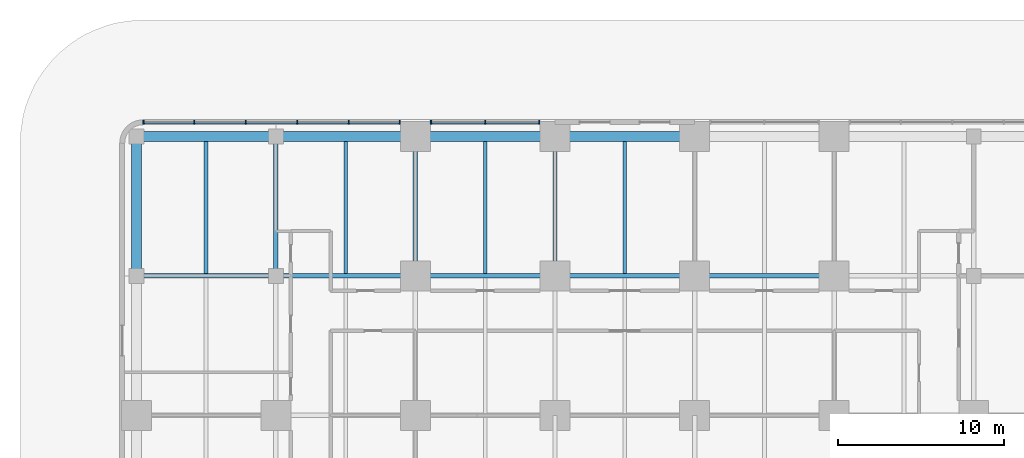
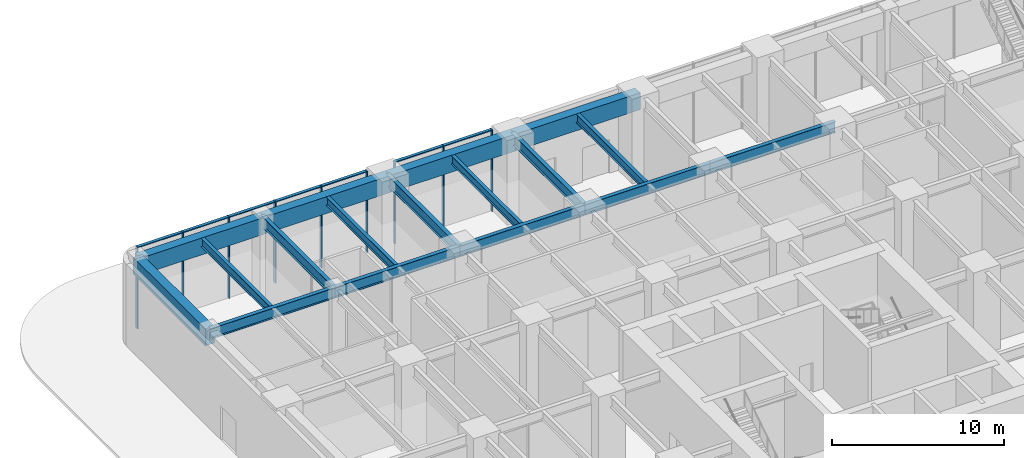
# One storey, part 7 of 21: 17 beams, 16 members, 1 element without a shape of its own.
"""IFC4 building model written with IfcOpenShell, lengths in metres."""

from ifc_helpers import new_model, si_unit, direction, frame, origin, origin_2d, place, context, subcontext, project, spatial, rectangle, i_section, extrude, material, material_profile, profile_set, type_object, element, aggregate, save


model = new_model("IFC4")

# Units and contexts
model_context = context("Model", 3, precision=1e-05, world=origin(), true_north=direction((0.0, 1.0)))
body_context = subcontext(model_context, "Body", "Model", "MODEL_VIEW")
ifc_project = project(units=[si_unit("LENGTHUNIT", "METRE"), si_unit("AREAUNIT", "SQUARE_METRE"), si_unit("VOLUMEUNIT", "CUBIC_METRE"), si_unit("PLANEANGLEUNIT", "RADIAN"), si_unit("MASSUNIT", "GRAM", prefix="KILO")], contexts=[model_context])

# Site, building, storey
site_placement = place(None, origin())
site = spatial("IfcSite", under=ifc_project, at=site_placement, CompositionType="ELEMENT")
building_placement = place(site_placement, origin())
building = spatial("IfcBuilding", under=site, at=building_placement, Name="Torre Alcanfor", CompositionType="ELEMENT")
storey_placement = place(building_placement, origin())
storey = spatial("IfcBuildingStorey", under=building, at=storey_placement, Name="L00", CompositionType="ELEMENT", Elevation=0.0)

# Curtain wall, members
ifc_material_1 = material(Name="Aluminium and glass", Category="aluminium")
curtain_wall_type = type_object("IfcCurtainWallType", Name="CW-C ground floor storefront glazing", PredefinedType="NOTDEFINED", material=ifc_material_1)
curtain_wall_placement = place(storey_placement, origin())
curtain_wall = element("IfcCurtainWall", 1, at=curtain_wall_placement, inside=storey, type_object=curtain_wall_type, Name="Curtain wall CW-C L00 N 1", PredefinedType="NOTDEFINED")
ifc_material_2 = material(Name="Extruded aluminium", Category="aluminium")
ifc_material_profile_1 = material_profile(ifc_material_2, rectangle(XDim=0.25, YDim=0.06494140625, at=origin_2d()), Name="CW-C mullion 65x250")
ifc_profile_set_1 = profile_set([ifc_material_profile_1], Name="Extruded aluminium")
member_type_1 = type_object("IfcMemberType", Name="CW-C mullion 65x250", PredefinedType="MULLION", material=ifc_profile_set_1)
member_1_placement = place(storey_placement, frame((24.262451171875, 59.64990234375, 0.0), z_axis=(0.0, 0.0, 1.0), x_axis=(0.0, -1.0, 0.0)))
member_1 = element("IfcMember", 2, at=member_1_placement, type_object=member_type_1, Name="CW-C mullion 1.1", PredefinedType="MULLION", context=body_context, shape_type="SweptSolid", body=[
    extrude(rectangle(XDim=0.25, YDim=0.06494140625, at=origin_2d()), origin(), (0.0, 0.0, 1.0), 5.800048828125),
])
member_2_placement = place(storey_placement, frame((21.0, 59.64990234375, 0.0), z_axis=(0.0, 0.0, 1.0), x_axis=(0.0, -1.0, 0.0)))
member_2 = element("IfcMember", 3, at=member_2_placement, type_object=member_type_1, Name="CW-C mullion 1.2", PredefinedType="MULLION", context=body_context, shape_type="SweptSolid", body=[
    extrude(rectangle(XDim=0.25, YDim=0.06494140625, at=origin_2d()), origin(), (0.0, 0.0, 1.0), 5.800048828125),
])
member_3_placement = place(storey_placement, frame((17.737548828125, 59.64990234375, 0.0), z_axis=(0.0, 0.0, 1.0), x_axis=(0.0, -1.0, 0.0)))
member_3 = element("IfcMember", 4, at=member_3_placement, type_object=member_type_1, Name="CW-C mullion 1.3", PredefinedType="MULLION", context=body_context, shape_type="SweptSolid", body=[
    extrude(rectangle(XDim=0.25, YDim=0.06494140625, at=origin_2d()), origin(), (0.0, 0.0, 1.0), 5.800048828125),
])
member_4_placement = place(storey_placement, frame((15.862548828125, 59.64990234375, 0.0), z_axis=(0.0, 0.0, 1.0), x_axis=(0.0, -1.0, 0.0)))
member_4 = element("IfcMember", 5, at=member_4_placement, type_object=member_type_1, Name="CW-C mullion 2.1", PredefinedType="MULLION", context=body_context, shape_type="SweptSolid", body=[
    extrude(rectangle(XDim=0.25, YDim=0.06494140625, at=origin_2d()), origin(), (0.0, 0.0, 1.0), 5.800048828125),
])
member_5_placement = place(storey_placement, frame((12.7958984375, 59.64990234375, 0.0), z_axis=(0.0, 0.0, 1.0), x_axis=(0.0, -1.0, 0.0)))
member_5 = element("IfcMember", 6, at=member_5_placement, type_object=member_type_1, Name="CW-C mullion 2.2", PredefinedType="MULLION", context=body_context, shape_type="SweptSolid", body=[
    extrude(rectangle(XDim=0.25, YDim=0.06494140625, at=origin_2d()), origin(), (0.0, 0.0, 1.0), 5.800048828125),
])
member_6_placement = place(storey_placement, frame((9.697021484375, 59.64990234375, 0.0), z_axis=(0.0, 0.0, 1.0), x_axis=(0.0, -1.0, 0.0)))
member_6 = element("IfcMember", 7, at=member_6_placement, type_object=member_type_1, Name="CW-C mullion 2.3", PredefinedType="MULLION", context=body_context, shape_type="SweptSolid", body=[
    extrude(rectangle(XDim=0.25, YDim=0.06494140625, at=origin_2d()), origin(), (0.0, 0.0, 1.0), 5.800048828125),
])
member_7_placement = place(storey_placement, frame((6.597900390625, 59.64990234375, 0.0), z_axis=(0.0, 0.0, 1.0), x_axis=(0.0, -1.0, 0.0)))
member_7 = element("IfcMember", 8, at=member_7_placement, type_object=member_type_1, Name="CW-C mullion 2.4", PredefinedType="MULLION", context=body_context, shape_type="SweptSolid", body=[
    extrude(rectangle(XDim=0.25, YDim=0.06494140625, at=origin_2d()), origin(), (0.0, 0.0, 1.0), 5.800048828125),
])
member_8_placement = place(storey_placement, frame((3.4990234375, 59.64990234375, 0.0), z_axis=(0.0, 0.0, 1.0), x_axis=(0.0, -1.0, 0.0)))
member_8 = element("IfcMember", 9, at=member_8_placement, type_object=member_type_1, Name="CW-C mullion 2.5", PredefinedType="MULLION", context=body_context, shape_type="SweptSolid", body=[
    extrude(rectangle(XDim=0.25, YDim=0.06494140625, at=origin_2d()), origin(), (0.0, 0.0, 1.0), 5.800048828125),
])
member_9_placement = place(storey_placement, frame((0.4326171875, 59.64990234375, 0.0), z_axis=(0.0, 0.0, 1.0), x_axis=(0.0, -1.0, 0.0)))
member_9 = element("IfcMember", 10, at=member_9_placement, type_object=member_type_1, Name="CW-C mullion 2.6", PredefinedType="MULLION", context=body_context, shape_type="SweptSolid", body=[
    extrude(rectangle(XDim=0.25, YDim=0.06494140625, at=origin_2d()), origin(), (0.0, 0.0, 1.0), 5.800048828125),
])
ifc_material_3 = material(Name="Extruded aluminium", Category="aluminium")
ifc_material_profile_2 = material_profile(ifc_material_3, rectangle(XDim=0.199951171875, YDim=0.06494140625, at=origin_2d()), Name="CW-C transom 200x65")
ifc_profile_set_2 = profile_set([ifc_material_profile_2], Name="Extruded aluminium")
member_type_2 = type_object("IfcMemberType", Name="CW-C transom 65x200", PredefinedType="USERDEFINED", material=ifc_profile_set_2)
member_10_placement = place(storey_placement, frame((24.22998046875, 59.64990234375, 5.767578125), z_axis=(-1.0, 0.0, 0.0), x_axis=(0.0, -1.0, 0.0)))
member_10 = element("IfcMember", 11, at=member_10_placement, type_object=member_type_2, Name="CW-C transom 1.1.2", ObjectType="TRANSOM", PredefinedType="USERDEFINED", context=body_context, shape_type="SweptSolid", body=[
    extrude(rectangle(XDim=0.199951171875, YDim=0.06494140625, at=origin_2d()), origin(), (0.0, 0.0, 1.0), 3.197509765625),
])
member_11_placement = place(storey_placement, frame((20.967529296875, 59.64990234375, 5.767578125), z_axis=(-1.0, 0.0, 0.0), x_axis=(0.0, -1.0, 0.0)))
member_11 = element("IfcMember", 12, at=member_11_placement, type_object=member_type_2, Name="CW-C transom 1.2.2", ObjectType="TRANSOM", PredefinedType="USERDEFINED", context=body_context, shape_type="SweptSolid", body=[
    extrude(rectangle(XDim=0.199951171875, YDim=0.06494140625, at=origin_2d()), origin(), (0.0, 0.0, 1.0), 3.197509765625),
])
member_12_placement = place(storey_placement, frame((15.830078125, 59.64990234375, 5.767578125), z_axis=(-1.0, 0.0, 0.0), x_axis=(0.0, -1.0, 0.0)))
member_12 = element("IfcMember", 13, at=member_12_placement, type_object=member_type_2, Name="CW-C transom 2.1.2", ObjectType="TRANSOM", PredefinedType="USERDEFINED", context=body_context, shape_type="SweptSolid", body=[
    extrude(rectangle(XDim=0.199951171875, YDim=0.06494140625, at=origin_2d()), origin(), (0.0, 0.0, 1.0), 3.00146484375),
])
member_13_placement = place(storey_placement, frame((12.763427734375, 59.64990234375, 5.767578125), z_axis=(-1.0, 0.0, 0.0), x_axis=(0.0, -1.0, 0.0)))
member_13 = element("IfcMember", 14, at=member_13_placement, type_object=member_type_2, Name="CW-C transom 2.2.2", ObjectType="TRANSOM", PredefinedType="USERDEFINED", context=body_context, shape_type="SweptSolid", body=[
    extrude(rectangle(XDim=0.199951171875, YDim=0.06494140625, at=origin_2d()), origin(), (0.0, 0.0, 1.0), 3.033935546875),
])
member_14_placement = place(storey_placement, frame((9.66455078125, 59.64990234375, 5.767578125), z_axis=(-1.0, 0.0, 0.0), x_axis=(0.0, -1.0, 0.0)))
member_14 = element("IfcMember", 15, at=member_14_placement, type_object=member_type_2, Name="CW-C transom 2.3.2", ObjectType="TRANSOM", PredefinedType="USERDEFINED", context=body_context, shape_type="SweptSolid", body=[
    extrude(rectangle(XDim=0.199951171875, YDim=0.06494140625, at=origin_2d()), origin(), (0.0, 0.0, 1.0), 3.033935546875),
])
member_15_placement = place(storey_placement, frame((6.5654296875, 59.64990234375, 5.767578125), z_axis=(-1.0, 0.0, 0.0), x_axis=(0.0, -1.0, 0.0)))
member_15 = element("IfcMember", 16, at=member_15_placement, type_object=member_type_2, Name="CW-C transom 2.4.2", ObjectType="TRANSOM", PredefinedType="USERDEFINED", context=body_context, shape_type="SweptSolid", body=[
    extrude(rectangle(XDim=0.199951171875, YDim=0.06494140625, at=origin_2d()), origin(), (0.0, 0.0, 1.0), 3.033935546875),
])
member_16_placement = place(storey_placement, frame((3.466552734375, 59.64990234375, 5.767578125), z_axis=(-1.0, 0.0, 0.0), x_axis=(0.0, -1.0, 0.0)))
member_16 = element("IfcMember", 17, at=member_16_placement, type_object=member_type_2, Name="CW-C transom 2.5.2", ObjectType="TRANSOM", PredefinedType="USERDEFINED", context=body_context, shape_type="SweptSolid", body=[
    extrude(rectangle(XDim=0.199951171875, YDim=0.06494140625, at=origin_2d()), origin(), (0.0, 0.0, 1.0), 3.00146484375),
])
aggregate(curtain_wall, [member_1, member_2, member_3, member_10, member_11, member_4, member_5, member_6, member_7, member_8, member_9, member_12, member_13, member_14, member_15, member_16])

# Beams
ifc_material_4 = material(Name="Steel ASTM A992 Grade 50", Category="steel")
ifc_material_profile_3 = material_profile(ifc_material_4, i_section(OverallWidth=0.2666015625, OverallDepth=0.7568359375, WebThickness=0.013916015625, FlangeThickness=0.019287109375, at=origin_2d()), Name="W30x108")
ifc_profile_set_3 = profile_set([ifc_material_profile_3], Name="Steel ASTM A992 Grade 50")
beam_type_1 = type_object("IfcBeamType", Name="Girder W30x108", PredefinedType="BEAM", material=ifc_profile_set_3)
beam_1_placement = place(storey_placement, frame((0.0, 50.39990234375, 5.421630859375), z_axis=(1.0, 0.0, 0.0), x_axis=(0.0, 1.0, 0.0)))
element("IfcBeam", 18, at=beam_1_placement, inside=storey, type_object=beam_type_1, Name="Beam 1J-2J under L01", PredefinedType="BEAM", context=body_context, shape_type="SweptSolid", body=[
    extrude(i_section(OverallWidth=0.2666015625, OverallDepth=0.7568359375, WebThickness=0.013916015625, FlangeThickness=0.019287109375, at=origin_2d()), origin(), (0.0, 0.0, 1.0), 8.39990234375),
])
beam_2_placement = place(storey_placement, frame((8.39990234375, 50.39990234375, 5.421630859375), z_axis=(1.0, 0.0, 0.0), x_axis=(0.0, 1.0, 0.0)))
element("IfcBeam", 19, at=beam_2_placement, inside=storey, type_object=beam_type_1, Name="Beam 2J-3J under L01", PredefinedType="BEAM", context=body_context, shape_type="SweptSolid", body=[
    extrude(i_section(OverallWidth=0.2666015625, OverallDepth=0.7568359375, WebThickness=0.013916015625, FlangeThickness=0.019287109375, at=origin_2d()), origin(), (0.0, 0.0, 1.0), 8.400146484375),
])
beam_3_placement = place(storey_placement, frame((16.800048828125, 50.39990234375, 5.421630859375), z_axis=(1.0, 0.0, 0.0), x_axis=(0.0, 1.0, 0.0)))
element("IfcBeam", 20, at=beam_3_placement, inside=storey, type_object=beam_type_1, Name="Beam 3J-4J under L01", PredefinedType="BEAM", context=body_context, shape_type="SweptSolid", body=[
    extrude(i_section(OverallWidth=0.2666015625, OverallDepth=0.7568359375, WebThickness=0.013916015625, FlangeThickness=0.019287109375, at=origin_2d()), origin(), (0.0, 0.0, 1.0), 8.39990234375),
])
beam_4_placement = place(storey_placement, frame((25.199951171875, 50.39990234375, 5.421630859375), z_axis=(1.0, 0.0, 0.0), x_axis=(0.0, 1.0, 0.0)))
element("IfcBeam", 21, at=beam_4_placement, inside=storey, type_object=beam_type_1, Name="Beam 4J-5J under L01", PredefinedType="BEAM", context=body_context, shape_type="SweptSolid", body=[
    extrude(i_section(OverallWidth=0.2666015625, OverallDepth=0.7568359375, WebThickness=0.013916015625, FlangeThickness=0.019287109375, at=origin_2d()), origin(), (0.0, 0.0, 1.0), 8.400146484375),
])
beam_5_placement = place(storey_placement, frame((33.60009765625, 50.39990234375, 5.421630859375), z_axis=(1.0, 0.0, 0.0), x_axis=(0.0, 1.0, 0.0)))
element("IfcBeam", 22, at=beam_5_placement, inside=storey, type_object=beam_type_1, Name="Beam 5J-6J under L01", PredefinedType="BEAM", context=body_context, shape_type="SweptSolid", body=[
    extrude(i_section(OverallWidth=0.2666015625, OverallDepth=0.7568359375, WebThickness=0.013916015625, FlangeThickness=0.019287109375, at=origin_2d()), origin(), (0.0, 0.0, 1.0), 8.39990234375),
])
for number, where, z_axis, x_axis, name in (
    (23, (8.39990234375, 50.39990234375, 5.421630859375), (0.0, 1.0, 0.0), (-1.0, 0.0, 0.0), "Beam 2J-2K under L01"),
    (24, (16.800048828125, 50.39990234375, 5.421630859375), (0.0, 1.0, 0.0), (-1.0, 0.0, 0.0), "Beam 3J-3K under L01"),
    (25, (25.199951171875, 50.39990234375, 5.421630859375), (0.0, 1.0, 0.0), (-1.0, 0.0, 0.0), "Beam 4J-4K under L01"),
):
    element("IfcBeam", number, at=place(storey_placement, frame(where, z_axis=z_axis, x_axis=x_axis)), inside=storey, type_object=beam_type_1, Name=name, PredefinedType="BEAM", context=body_context, shape_type="SweptSolid", body=[
        extrude(i_section(OverallWidth=0.2666015625, OverallDepth=0.7568359375, WebThickness=0.013916015625, FlangeThickness=0.019287109375, at=origin_2d()), origin(), (0.0, 0.0, 1.0), 8.400146484375),
    ])
ifc_material_5 = material(Name="Concrete f'c 70 MPa", Category="concrete")
ifc_material_profile_4 = material_profile(ifc_material_5, rectangle(XDim=0.60009765625, YDim=1.199951171875, at=origin_2d()), Name="600x1200")
ifc_profile_set_4 = profile_set([ifc_material_profile_4], Name="Concrete f'c 70 MPa")
beam_type_2 = type_object("IfcBeamType", Name="RC perimeter beam 600x1200", PredefinedType="BEAM", material=ifc_profile_set_4)
beam_6_placement = place(storey_placement, frame((0.0, 58.800048828125, 5.199951171875), z_axis=(1.0, 0.0, 0.0), x_axis=(0.0, 1.0, 0.0)))
element("IfcBeam", 26, at=beam_6_placement, inside=storey, type_object=beam_type_2, Name="Beam 1K-2K under L01", PredefinedType="BEAM", context=body_context, shape_type="SweptSolid", body=[
    extrude(rectangle(XDim=0.60009765625, YDim=1.199951171875, at=origin_2d()), origin(), (0.0, 0.0, 1.0), 8.39990234375),
])
beam_7_placement = place(storey_placement, frame((8.39990234375, 58.800048828125, 5.199951171875), z_axis=(1.0, 0.0, 0.0), x_axis=(0.0, 1.0, 0.0)))
element("IfcBeam", 27, at=beam_7_placement, inside=storey, type_object=beam_type_2, Name="Beam 2K-3K under L01", PredefinedType="BEAM", context=body_context, shape_type="SweptSolid", body=[
    extrude(rectangle(XDim=0.60009765625, YDim=1.199951171875, at=origin_2d()), origin(), (0.0, 0.0, 1.0), 8.400146484375),
])
beam_8_placement = place(storey_placement, frame((16.800048828125, 58.800048828125, 5.199951171875), z_axis=(1.0, 0.0, 0.0), x_axis=(0.0, 1.0, 0.0)))
element("IfcBeam", 28, at=beam_8_placement, inside=storey, type_object=beam_type_2, Name="Beam 3K-4K under L01", PredefinedType="BEAM", context=body_context, shape_type="SweptSolid", body=[
    extrude(rectangle(XDim=0.60009765625, YDim=1.199951171875, at=origin_2d()), origin(), (0.0, 0.0, 1.0), 8.39990234375),
])
for number, where, z_axis, x_axis, name in (
    (29, (25.199951171875, 58.800048828125, 5.199951171875), (1.0, 0.0, 0.0), (0.0, 1.0, 0.0), "Beam 4K-5K under L01"),
    (30, (0.0, 50.39990234375, 5.199951171875), (0.0, 1.0, 0.0), (-1.0, 0.0, 0.0), "Beam 1J-1K under L01"),
):
    element("IfcBeam", number, at=place(storey_placement, frame(where, z_axis=z_axis, x_axis=x_axis)), inside=storey, type_object=beam_type_2, Name=name, PredefinedType="BEAM", context=body_context, shape_type="SweptSolid", body=[
        extrude(rectangle(XDim=0.60009765625, YDim=1.199951171875, at=origin_2d()), origin(), (0.0, 0.0, 1.0), 8.400146484375),
    ])
ifc_material_6 = material(Name="Steel ASTM A992 Grade 50", Category="steel")
ifc_material_profile_5 = material_profile(ifc_material_6, i_section(OverallWidth=0.22900390625, OverallDepth=0.612060546875, WebThickness=0.011962890625, FlangeThickness=0.01953125, at=origin_2d()), Name="W24x84")
ifc_profile_set_5 = profile_set([ifc_material_profile_5], Name="Steel ASTM A992 Grade 50")
beam_type_3 = type_object("IfcBeamType", Name="Secondary beam W24x84", PredefinedType="BEAM", material=ifc_profile_set_5)
for number, where, z_axis, x_axis, name in (
    (31, (4.199951171875, 50.532958984375, 5.493896484375), (0.0, 1.0, 0.0), (-1.0, 0.0, 0.0), "Beam 4_2J-4_2K under L01"),
    (32, (12.60009765625, 50.532958984375, 5.493896484375), (0.0, 1.0, 0.0), (-1.0, 0.0, 0.0), "Beam 12_6J-12_6K under L01"),
    (33, (21.0, 50.532958984375, 5.493896484375), (0.0, 1.0, 0.0), (-1.0, 0.0, 0.0), "Beam 21J-21K under L01"),
    (34, (29.39990234375, 50.532958984375, 5.493896484375), (0.0, 1.0, 0.0), (-1.0, 0.0, 0.0), "Beam 29_4J-29_4K under L01"),
):
    element("IfcBeam", number, at=place(storey_placement, frame(where, z_axis=z_axis, x_axis=x_axis)), inside=storey, type_object=beam_type_3, Name=name, PredefinedType="BEAM", context=body_context, shape_type="SweptSolid", body=[
        extrude(i_section(OverallWidth=0.22900390625, OverallDepth=0.612060546875, WebThickness=0.011962890625, FlangeThickness=0.01953125, at=origin_2d()), origin(), (0.0, 0.0, 1.0), 7.967041015625),
    ])

save(model, "model.ifc")
